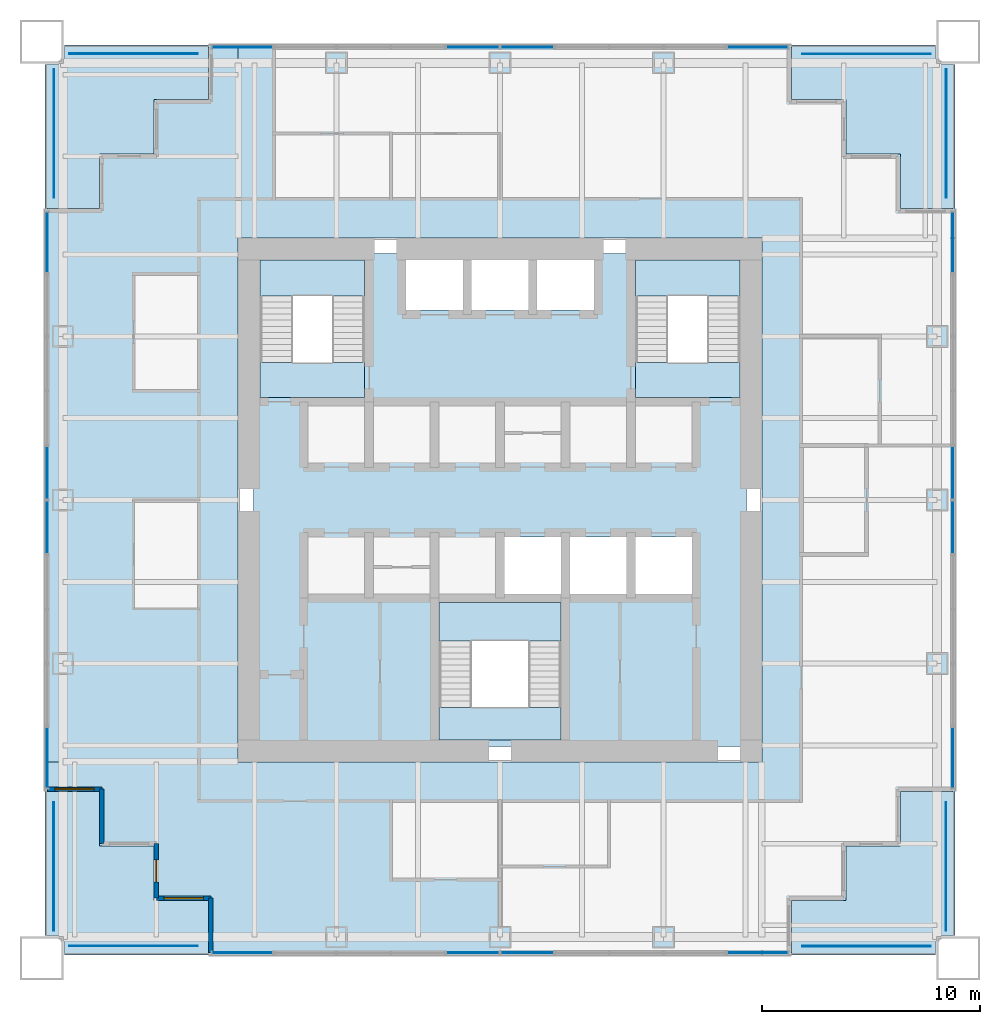
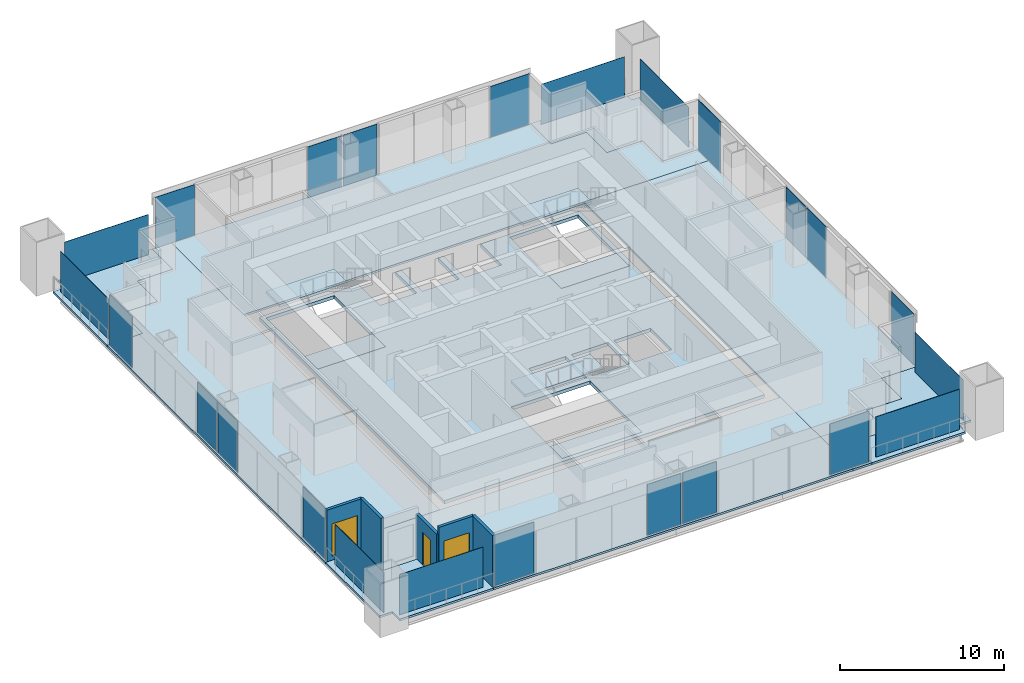
# One storey, part 8 of 14: 24 plates, 15 slabs, 5 walls, 2 windows, 1 door, 3 openings, 19 elements without a shape of their own.
"""IFC4 building model written with IfcOpenShell, lengths in metres."""

from ifc_helpers import new_model, si_unit, direction, frame, frame_2d, origin, origin_2d, place, context, subcontext, project, spatial, polyline, rectangle, outline, extrude, material, layer, layer_set, type_object, element, fill, aggregate, save


model = new_model("IFC4")

# Units and contexts
model_context = context("Model", 3, precision=1e-05, world=origin(), true_north=direction((0.0, 1.0)))
body_context = subcontext(model_context, "Body", "Model", "MODEL_VIEW")
ifc_project = project(units=[si_unit("LENGTHUNIT", "METRE"), si_unit("AREAUNIT", "SQUARE_METRE"), si_unit("VOLUMEUNIT", "CUBIC_METRE"), si_unit("PLANEANGLEUNIT", "RADIAN"), si_unit("MASSUNIT", "GRAM", prefix="KILO")], contexts=[model_context])

# Site, building, storey
site_placement = place(None, origin())
site = spatial("IfcSite", under=ifc_project, at=site_placement, CompositionType="ELEMENT")
building_placement = place(site_placement, origin())
building = spatial("IfcBuilding", under=site, at=building_placement, Name="Tarangal Relay Tower", CompositionType="ELEMENT")
storey_placement = place(building_placement, frame((0.0, 0.0, 271.89990234375)))
storey = spatial("IfcBuildingStorey", under=building, at=storey_placement, Name="L59", CompositionType="ELEMENT", Elevation=271.89990234375)

# Slabs
ifc_material_1 = material(Name="Concrete fc' 35 MPa", Category="concrete")
ifc_layer_1 = layer(ifc_material_1, 0.25)
ifc_layer_set_1 = layer_set([ifc_layer_1], Name="Core floor slab 250")
slab_type_1 = type_object("IfcSlabType", Name="Core floor slab 250", PredefinedType="FLOOR", material=ifc_layer_set_1)
slab_1_placement = place(storey_placement, frame((0.0, 0.0, -0.25)))
element("IfcSlab", 1, at=slab_1_placement, inside=storey, type_object=slab_type_1, Name="Core floor slab L59", PredefinedType="FLOOR", context=body_context, shape_type="SweptSolid", body=[
    extrude(outline(polyline([(11.300048828125, 11.300048828125), (11.300048828125, -11.300048828125), (-11.300048828125, -11.300048828125), (-11.300048828125, 11.300048828125), (-4.300048828125, 11.300048828125), (-4.300048828125, 8.699951171875), (-1.699951171875, 8.699951171875), (-1.699951171875, 11.300048828125), (-1.300048828125, 11.300048828125), (-1.300048828125, 8.699951171875), (1.300048828125, 8.699951171875), (1.300048828125, 11.300048828125), (1.699951171875, 11.300048828125), (1.699951171875, 8.699951171875), (4.300048828125, 8.699951171875), (4.300048828125, 11.300048828125), (11.300048828125, 11.300048828125)]), holes=[polyline([(2.800048828125, -4.699951171875), (-2.800048828125, -4.699951171875), (-2.800048828125, -11.0), (2.800048828125, -11.0), (2.800048828125, -4.699951171875)]), polyline([(2.800048828125, -1.699951171875), (0.199951171875, -1.699951171875), (0.199951171875, -4.300048828125), (2.800048828125, -4.300048828125), (2.800048828125, -1.699951171875)]), polyline([(5.800048828125, -1.699951171875), (3.199951171875, -1.699951171875), (3.199951171875, -4.300048828125), (5.800048828125, -4.300048828125), (5.800048828125, -1.699951171875)]), polyline([(8.800048828125, -1.699951171875), (6.199951171875, -1.699951171875), (6.199951171875, -4.300048828125), (8.800048828125, -4.300048828125), (8.800048828125, -1.699951171875)]), polyline([(-6.199951171875, 11.0), (-11.0, 11.0), (-11.0, 4.699951171875), (-6.199951171875, 4.699951171875), (-6.199951171875, 11.0)]), polyline([(11.0, 11.0), (6.199951171875, 11.0), (6.199951171875, 4.699951171875), (11.0, 4.699951171875), (11.0, 11.0)])]), origin(), (0.0, 0.0, 1.0), 0.25),
])
ifc_layer_2 = layer(ifc_material_1, 0.14990234375)
ifc_layer_set_2 = layer_set([ifc_layer_2], Name="Floor slab 150")
slab_type_2 = type_object("IfcSlabType", Name="Floor slab 150", PredefinedType="FLOOR", material=ifc_layer_set_2)
slab_2_placement = place(storey_placement, frame((0.0, 0.0, -0.14990234375)))
element("IfcSlab", 2, at=slab_2_placement, inside=storey, type_object=slab_type_2, Name="Floor slab FS3 L59 north bay", PredefinedType="FLOOR", context=body_context, shape_type="SweptSolid", body=[
    extrude(outline(polyline([(13.35009765625, 20.85009765625), (13.35009765625, 18.35009765625), (15.85009765625, 18.35009765625), (15.85009765625, 15.85009765625), (18.35009765625, 15.85009765625), (18.35009765625, 13.35009765625), (20.85009765625, 13.35009765625), (20.85009765625, 12.0), (-12.0, 12.0), (-12.0, 20.85009765625), (13.35009765625, 20.85009765625)])), origin(), (0.0, 0.0, 1.0), 0.14990234375),
])
slab_3_placement = place(storey_placement, frame((0.0, 0.0, -0.14990234375)))
element("IfcSlab", 3, at=slab_3_placement, inside=storey, type_object=slab_type_2, Name="Floor slab FS3 L59 east bay", PredefinedType="FLOOR", context=body_context, shape_type="SweptSolid", body=[
    extrude(outline(polyline([(20.85009765625, -13.35009765625), (18.35009765625, -13.35009765625), (18.35009765625, -15.85009765625), (15.85009765625, -15.85009765625), (15.85009765625, -18.35009765625), (13.35009765625, -18.35009765625), (13.35009765625, -20.85009765625), (12.0, -20.85009765625), (12.0, 12.0), (20.85009765625, 12.0), (20.85009765625, -13.35009765625)])), origin(), (0.0, 0.0, 1.0), 0.14990234375),
])
slab_4_placement = place(storey_placement, frame((0.0, 0.0, -0.14990234375)))
element("IfcSlab", 4, at=slab_4_placement, inside=storey, type_object=slab_type_2, Name="Floor slab FS3 L59 south bay", PredefinedType="FLOOR", context=body_context, shape_type="SweptSolid", body=[
    extrude(outline(polyline([(-13.35009765625, -20.85009765625), (-13.35009765625, -18.35009765625), (-15.85009765625, -18.35009765625), (-15.85009765625, -15.85009765625), (-18.35009765625, -15.85009765625), (-18.35009765625, -13.35009765625), (-20.85009765625, -13.35009765625), (-20.85009765625, -12.0), (12.0, -12.0), (12.0, -20.85009765625), (-13.35009765625, -20.85009765625)])), origin(), (0.0, 0.0, 1.0), 0.14990234375),
])
slab_5_placement = place(storey_placement, frame((0.0, 0.0, -0.14990234375)))
element("IfcSlab", 5, at=slab_5_placement, inside=storey, type_object=slab_type_2, Name="Floor slab FS3 L59 west bay", PredefinedType="FLOOR", context=body_context, shape_type="SweptSolid", body=[
    extrude(outline(polyline([(-12.0, 20.85009765625), (-12.0, -12.0), (-20.85009765625, -12.0), (-20.85009765625, 13.35009765625), (-18.35009765625, 13.35009765625), (-18.35009765625, 15.85009765625), (-15.85009765625, 15.85009765625), (-15.85009765625, 18.35009765625), (-13.35009765625, 18.35009765625), (-13.35009765625, 20.85009765625), (-12.0, 20.85009765625)])), origin(), (0.0, 0.0, 1.0), 0.14990234375),
])

# Curtain wall, plate
ifc_material_2 = material(Name="Unitised curtain wall, dark glass and black aluminium", Category="aluminium")
curtain_wall_type = type_object("IfcCurtainWallType", Name="Curtain wall CW-B", PredefinedType="USERDEFINED", material=ifc_material_2)
curtain_wall_1_placement = place(storey_placement, origin())
curtain_wall_1 = element("IfcCurtainWall", 6, at=curtain_wall_1_placement, inside=storey, type_object=curtain_wall_type, Name="Curtain wall CW-B N facade L59", ObjectType="UNITISED CURTAIN WALL", PredefinedType="USERDEFINED")
ifc_material_3 = material(Name="Dark tinted insulated glass unit", Category="glass")
ifc_layer_3 = layer(ifc_material_3, 0.030029296875)
ifc_layer_set_3 = layer_set([ifc_layer_3], Name="Glazed panel CW-B 30")
plate_type_1 = type_object("IfcPlateType", Name="Glazed panel CW-B 30", PredefinedType="CURTAIN_PANEL", material=ifc_layer_set_3)
plate_1_placement = place(storey_placement, frame((-11.8125, 20.75, 0.06005859375), z_axis=(0.0, 0.0, 1.0), x_axis=(1.0, 0.0, 0.0)))
plate_1 = element("IfcPlate", 7, at=plate_1_placement, type_object=plate_type_1, Name="CW-B panel 1.1", PredefinedType="CURTAIN_PANEL", context=body_context, shape_type="SweptSolid", body=[
    extrude(rectangle(XDim=2.7548828125, YDim=0.030029296875, at=origin_2d()), origin(), (0.0, 0.0, 1.0), 3.7900390625),
])
aggregate(curtain_wall_1, [plate_1])

curtain_wall_2_placement = place(storey_placement, origin())
curtain_wall_2 = element("IfcCurtainWall", 8, at=curtain_wall_2_placement, inside=storey, type_object=curtain_wall_type, Name="Curtain wall CW-B N facade L59", ObjectType="UNITISED CURTAIN WALL", PredefinedType="USERDEFINED")
plate_2_placement = place(storey_placement, frame((-1.25, 20.75, 0.06005859375), z_axis=(0.0, 0.0, 1.0), x_axis=(1.0, 0.0, 0.0)))
plate_2 = element("IfcPlate", 9, at=plate_2_placement, type_object=plate_type_1, Name="CW-B panel 1.1", PredefinedType="CURTAIN_PANEL", context=body_context, shape_type="SweptSolid", body=[
    extrude(rectangle(XDim=2.3798828125, YDim=0.030029296875, at=origin_2d()), origin(), (0.0, 0.0, 1.0), 3.7900390625),
])
aggregate(curtain_wall_2, [plate_2])

curtain_wall_3_placement = place(storey_placement, origin())
curtain_wall_3 = element("IfcCurtainWall", 10, at=curtain_wall_3_placement, inside=storey, type_object=curtain_wall_type, Name="Curtain wall CW-B N facade L59", ObjectType="UNITISED CURTAIN WALL", PredefinedType="USERDEFINED")
plate_3_placement = place(storey_placement, frame((1.25, 20.75, 0.06005859375), z_axis=(0.0, 0.0, 1.0), x_axis=(1.0, 0.0, 0.0)))
plate_3 = element("IfcPlate", 11, at=plate_3_placement, type_object=plate_type_1, Name="CW-B panel 1.1", PredefinedType="CURTAIN_PANEL", context=body_context, shape_type="SweptSolid", body=[
    extrude(rectangle(XDim=2.3798828125, YDim=0.030029296875, at=origin_2d()), origin(), (0.0, 0.0, 1.0), 3.7900390625),
])
aggregate(curtain_wall_3, [plate_3])

curtain_wall_4_placement = place(storey_placement, origin())
curtain_wall_4 = element("IfcCurtainWall", 12, at=curtain_wall_4_placement, inside=storey, type_object=curtain_wall_type, Name="Curtain wall CW-B N facade L59", ObjectType="UNITISED CURTAIN WALL", PredefinedType="USERDEFINED")
plate_4_placement = place(storey_placement, frame((11.8125, 20.75, 0.06005859375), z_axis=(0.0, 0.0, 1.0), x_axis=(1.0, 0.0, 0.0)))
plate_4 = element("IfcPlate", 13, at=plate_4_placement, type_object=plate_type_1, Name="CW-B panel 1.1", PredefinedType="CURTAIN_PANEL", context=body_context, shape_type="SweptSolid", body=[
    extrude(rectangle(XDim=2.7548828125, YDim=0.030029296875, at=origin_2d()), origin(), (0.0, 0.0, 1.0), 3.7900390625),
])
aggregate(curtain_wall_4, [plate_4])

curtain_wall_5_placement = place(storey_placement, origin())
curtain_wall_5 = element("IfcCurtainWall", 14, at=curtain_wall_5_placement, inside=storey, type_object=curtain_wall_type, Name="Curtain wall CW-B E facade L59", ObjectType="UNITISED CURTAIN WALL", PredefinedType="USERDEFINED")
plate_5_placement = place(storey_placement, frame((20.75, 11.8125, 0.06005859375), z_axis=(0.0, 0.0, 1.0), x_axis=(0.0, -1.0, 0.0)))
plate_5 = element("IfcPlate", 15, at=plate_5_placement, type_object=plate_type_1, Name="CW-B panel 1.1", PredefinedType="CURTAIN_PANEL", context=body_context, shape_type="SweptSolid", body=[
    extrude(rectangle(XDim=2.7548828125, YDim=0.030029296875, at=origin_2d()), origin(), (0.0, 0.0, 1.0), 3.7900390625),
])
aggregate(curtain_wall_5, [plate_5])

curtain_wall_6_placement = place(storey_placement, origin())
curtain_wall_6 = element("IfcCurtainWall", 16, at=curtain_wall_6_placement, inside=storey, type_object=curtain_wall_type, Name="Curtain wall CW-B E facade L59", ObjectType="UNITISED CURTAIN WALL", PredefinedType="USERDEFINED")
plate_6_placement = place(storey_placement, frame((20.75, 1.25, 0.06005859375), z_axis=(0.0, 0.0, 1.0), x_axis=(0.0, -1.0, 0.0)))
plate_6 = element("IfcPlate", 17, at=plate_6_placement, type_object=plate_type_1, Name="CW-B panel 1.1", PredefinedType="CURTAIN_PANEL", context=body_context, shape_type="SweptSolid", body=[
    extrude(rectangle(XDim=2.3798828125, YDim=0.030029296875, at=origin_2d()), origin(), (0.0, 0.0, 1.0), 3.7900390625),
])
aggregate(curtain_wall_6, [plate_6])

curtain_wall_7_placement = place(storey_placement, origin())
curtain_wall_7 = element("IfcCurtainWall", 18, at=curtain_wall_7_placement, inside=storey, type_object=curtain_wall_type, Name="Curtain wall CW-B E facade L59", ObjectType="UNITISED CURTAIN WALL", PredefinedType="USERDEFINED")
plate_7_placement = place(storey_placement, frame((20.75, -1.25, 0.06005859375), z_axis=(0.0, 0.0, 1.0), x_axis=(0.0, -1.0, 0.0)))
plate_7 = element("IfcPlate", 19, at=plate_7_placement, type_object=plate_type_1, Name="CW-B panel 1.1", PredefinedType="CURTAIN_PANEL", context=body_context, shape_type="SweptSolid", body=[
    extrude(rectangle(XDim=2.3798828125, YDim=0.030029296875, at=origin_2d()), origin(), (0.0, 0.0, 1.0), 3.7900390625),
])
aggregate(curtain_wall_7, [plate_7])

curtain_wall_8_placement = place(storey_placement, origin())
curtain_wall_8 = element("IfcCurtainWall", 20, at=curtain_wall_8_placement, inside=storey, type_object=curtain_wall_type, Name="Curtain wall CW-B E facade L59", ObjectType="UNITISED CURTAIN WALL", PredefinedType="USERDEFINED")
plate_8_placement = place(storey_placement, frame((20.75, -11.8125, 0.06005859375), z_axis=(0.0, 0.0, 1.0), x_axis=(0.0, -1.0, 0.0)))
plate_8 = element("IfcPlate", 21, at=plate_8_placement, type_object=plate_type_1, Name="CW-B panel 1.1", PredefinedType="CURTAIN_PANEL", context=body_context, shape_type="SweptSolid", body=[
    extrude(rectangle(XDim=2.7548828125, YDim=0.030029296875, at=origin_2d()), origin(), (0.0, 0.0, 1.0), 3.7900390625),
])
aggregate(curtain_wall_8, [plate_8])

curtain_wall_9_placement = place(storey_placement, origin())
curtain_wall_9 = element("IfcCurtainWall", 22, at=curtain_wall_9_placement, inside=storey, type_object=curtain_wall_type, Name="Curtain wall CW-B S facade L59", ObjectType="UNITISED CURTAIN WALL", PredefinedType="USERDEFINED")
plate_9_placement = place(storey_placement, frame((11.8125, -20.75, 0.06005859375), z_axis=(0.0, 0.0, 1.0), x_axis=(-1.0, 0.0, 0.0)))
plate_9 = element("IfcPlate", 23, at=plate_9_placement, type_object=plate_type_1, Name="CW-B panel 1.1", PredefinedType="CURTAIN_PANEL", context=body_context, shape_type="SweptSolid", body=[
    extrude(rectangle(XDim=2.7548828125, YDim=0.030029296875, at=origin_2d()), origin(), (0.0, 0.0, 1.0), 3.7900390625),
])
aggregate(curtain_wall_9, [plate_9])

curtain_wall_10_placement = place(storey_placement, origin())
curtain_wall_10 = element("IfcCurtainWall", 24, at=curtain_wall_10_placement, inside=storey, type_object=curtain_wall_type, Name="Curtain wall CW-B S facade L59", ObjectType="UNITISED CURTAIN WALL", PredefinedType="USERDEFINED")
plate_10_placement = place(storey_placement, frame((1.25, -20.75, 0.06005859375), z_axis=(0.0, 0.0, 1.0), x_axis=(-1.0, 0.0, 0.0)))
plate_10 = element("IfcPlate", 25, at=plate_10_placement, type_object=plate_type_1, Name="CW-B panel 1.1", PredefinedType="CURTAIN_PANEL", context=body_context, shape_type="SweptSolid", body=[
    extrude(rectangle(XDim=2.3798828125, YDim=0.030029296875, at=origin_2d()), origin(), (0.0, 0.0, 1.0), 3.7900390625),
])
aggregate(curtain_wall_10, [plate_10])

curtain_wall_11_placement = place(storey_placement, origin())
curtain_wall_11 = element("IfcCurtainWall", 26, at=curtain_wall_11_placement, inside=storey, type_object=curtain_wall_type, Name="Curtain wall CW-B S facade L59", ObjectType="UNITISED CURTAIN WALL", PredefinedType="USERDEFINED")
plate_11_placement = place(storey_placement, frame((-1.25, -20.75, 0.06005859375), z_axis=(0.0, 0.0, 1.0), x_axis=(-1.0, 0.0, 0.0)))
plate_11 = element("IfcPlate", 27, at=plate_11_placement, type_object=plate_type_1, Name="CW-B panel 1.1", PredefinedType="CURTAIN_PANEL", context=body_context, shape_type="SweptSolid", body=[
    extrude(rectangle(XDim=2.3798828125, YDim=0.030029296875, at=origin_2d()), origin(), (0.0, 0.0, 1.0), 3.7900390625),
])
aggregate(curtain_wall_11, [plate_11])

curtain_wall_12_placement = place(storey_placement, origin())
curtain_wall_12 = element("IfcCurtainWall", 28, at=curtain_wall_12_placement, inside=storey, type_object=curtain_wall_type, Name="Curtain wall CW-B S facade L59", ObjectType="UNITISED CURTAIN WALL", PredefinedType="USERDEFINED")
plate_12_placement = place(storey_placement, frame((-11.8125, -20.75, 0.06005859375), z_axis=(0.0, 0.0, 1.0), x_axis=(-1.0, 0.0, 0.0)))
plate_12 = element("IfcPlate", 29, at=plate_12_placement, type_object=plate_type_1, Name="CW-B panel 1.1", PredefinedType="CURTAIN_PANEL", context=body_context, shape_type="SweptSolid", body=[
    extrude(rectangle(XDim=2.7548828125, YDim=0.030029296875, at=origin_2d()), origin(), (0.0, 0.0, 1.0), 3.7900390625),
])
aggregate(curtain_wall_12, [plate_12])

curtain_wall_13_placement = place(storey_placement, origin())
curtain_wall_13 = element("IfcCurtainWall", 30, at=curtain_wall_13_placement, inside=storey, type_object=curtain_wall_type, Name="Curtain wall CW-B W facade L59", ObjectType="UNITISED CURTAIN WALL", PredefinedType="USERDEFINED")
plate_13_placement = place(storey_placement, frame((-20.75, -11.8125, 0.06005859375), z_axis=(0.0, 0.0, 1.0), x_axis=(0.0, 1.0, 0.0)))
plate_13 = element("IfcPlate", 31, at=plate_13_placement, type_object=plate_type_1, Name="CW-B panel 1.1", PredefinedType="CURTAIN_PANEL", context=body_context, shape_type="SweptSolid", body=[
    extrude(rectangle(XDim=2.7548828125, YDim=0.030029296875, at=origin_2d()), origin(), (0.0, 0.0, 1.0), 3.7900390625),
])
aggregate(curtain_wall_13, [plate_13])

curtain_wall_14_placement = place(storey_placement, origin())
curtain_wall_14 = element("IfcCurtainWall", 32, at=curtain_wall_14_placement, inside=storey, type_object=curtain_wall_type, Name="Curtain wall CW-B W facade L59", ObjectType="UNITISED CURTAIN WALL", PredefinedType="USERDEFINED")
plate_14_placement = place(storey_placement, frame((-20.75, -1.25, 0.06005859375), z_axis=(0.0, 0.0, 1.0), x_axis=(0.0, 1.0, 0.0)))
plate_14 = element("IfcPlate", 33, at=plate_14_placement, type_object=plate_type_1, Name="CW-B panel 1.1", PredefinedType="CURTAIN_PANEL", context=body_context, shape_type="SweptSolid", body=[
    extrude(rectangle(XDim=2.3798828125, YDim=0.030029296875, at=origin_2d()), origin(), (0.0, 0.0, 1.0), 3.7900390625),
])
aggregate(curtain_wall_14, [plate_14])

curtain_wall_15_placement = place(storey_placement, origin())
curtain_wall_15 = element("IfcCurtainWall", 34, at=curtain_wall_15_placement, inside=storey, type_object=curtain_wall_type, Name="Curtain wall CW-B W facade L59", ObjectType="UNITISED CURTAIN WALL", PredefinedType="USERDEFINED")
plate_15_placement = place(storey_placement, frame((-20.75, 1.25, 0.06005859375), z_axis=(0.0, 0.0, 1.0), x_axis=(0.0, 1.0, 0.0)))
plate_15 = element("IfcPlate", 35, at=plate_15_placement, type_object=plate_type_1, Name="CW-B panel 1.1", PredefinedType="CURTAIN_PANEL", context=body_context, shape_type="SweptSolid", body=[
    extrude(rectangle(XDim=2.3798828125, YDim=0.030029296875, at=origin_2d()), origin(), (0.0, 0.0, 1.0), 3.7900390625),
])
aggregate(curtain_wall_15, [plate_15])

curtain_wall_16_placement = place(storey_placement, origin())
curtain_wall_16 = element("IfcCurtainWall", 36, at=curtain_wall_16_placement, inside=storey, type_object=curtain_wall_type, Name="Curtain wall CW-B W facade L59", ObjectType="UNITISED CURTAIN WALL", PredefinedType="USERDEFINED")
plate_16_placement = place(storey_placement, frame((-20.75, 11.8125, 0.06005859375), z_axis=(0.0, 0.0, 1.0), x_axis=(0.0, 1.0, 0.0)))
plate_16 = element("IfcPlate", 37, at=plate_16_placement, type_object=plate_type_1, Name="CW-B panel 1.1", PredefinedType="CURTAIN_PANEL", context=body_context, shape_type="SweptSolid", body=[
    extrude(rectangle(XDim=2.7548828125, YDim=0.030029296875, at=origin_2d()), origin(), (0.0, 0.0, 1.0), 3.7900390625),
])
aggregate(curtain_wall_16, [plate_16])

# Plates
ifc_material_4 = material(Name="Black stainless steel cable trellis with climbing planting", Category="steel")
ifc_layer_4 = layer(ifc_material_4, 0.030029296875)
ifc_layer_set_4 = layer_set([ifc_layer_4], Name="Planted trellis screen")
plate_type_2 = type_object("IfcPlateType", Name="Planted trellis screen", PredefinedType="SHEET", material=ifc_layer_set_4)
for number, where, z_axis, x_axis, name in (
    (38, (20.449951171875, 16.800048828125, 0.0), (0.0, 0.0, 1.0), (0.0, -1.0, 0.0), "Planted trellis SC2 NE L59"),
    (39, (16.800048828125, -20.449951171875, 0.0), (0.0, 0.0, 1.0), (-1.0, 0.0, 0.0), "Planted trellis SC2 SE L59"),
    (40, (-20.449951171875, -16.800048828125, 0.0), (0.0, 0.0, 1.0), (0.0, 1.0, 0.0), "Planted trellis SC2 SW L59"),
    (41, (-16.800048828125, 20.449951171875, 0.0), (0.0, 0.0, 1.0), (1.0, 0.0, 0.0), "Planted trellis SC2 NW L59"),
):
    element("IfcPlate", number, at=place(storey_placement, frame(where, z_axis=z_axis, x_axis=x_axis)), inside=storey, type_object=plate_type_2, Name=name, PredefinedType="SHEET", context=body_context, shape_type="SweptSolid", body=[
        extrude(rectangle(XDim=5.89990234375, YDim=0.030029296875, at=origin_2d()), origin(), (0.0, 0.0, 1.0), 3.0),
    ])

# Stair, slabs
ifc_material_5 = material(Name="Steel ASTM A992 stair flight", Category="steel")
stair_type = type_object("IfcStairType", Name="Core stair 1500", PredefinedType="HALF_TURN_STAIR", material=ifc_material_5)
stair_1_placement = place(storey_placement, origin())
stair_1 = element("IfcStair", 42, at=stair_1_placement, inside=storey, type_object=stair_type, Name="Stair ST-A L59", PredefinedType="HALF_TURN_STAIR")
ifc_layer_5 = layer(ifc_material_1, 0.199951171875)
ifc_layer_set_5 = layer_set([ifc_layer_5], Name="Stair landing 200")
slab_type_3 = type_object("IfcSlabType", Name="Stair landing 200", PredefinedType="LANDING", material=ifc_layer_set_5)
slab_6_placement = place(storey_placement, frame((0.0, 0.0, -0.199951171875)))
slab_6 = element("IfcSlab", 43, at=slab_6_placement, type_object=slab_type_3, Name="ST-A landing 1", PredefinedType="LANDING", context=body_context, shape_type="SweptSolid", body=[
    extrude(outline(polyline([(-11.0, 4.699951171875), (-6.199951171875, 4.699951171875), (-6.199951171875, 6.300048828125), (-11.0, 6.300048828125), (-11.0, 4.699951171875)])), origin(), (0.0, 0.0, 1.0), 0.199951171875),
])
slab_7_placement = place(storey_placement, frame((0.0, 0.0, 1.800048828125)))
slab_7 = element("IfcSlab", 44, at=slab_7_placement, type_object=slab_type_3, Name="ST-A landing 2", PredefinedType="LANDING", context=body_context, shape_type="SweptSolid", body=[
    extrude(outline(polyline([(-11.0, 9.346923828125), (-6.199951171875, 9.346923828125), (-6.199951171875, 11.0), (-11.0, 11.0), (-11.0, 9.346923828125)])), origin(), (0.0, 0.0, 1.0), 0.199951171875),
])
aggregate(stair_1, [slab_6, slab_7])

stair_2_placement = place(storey_placement, origin())
stair_2 = element("IfcStair", 45, at=stair_2_placement, inside=storey, type_object=stair_type, Name="Stair ST-B L59", PredefinedType="HALF_TURN_STAIR")
slab_8_placement = place(storey_placement, frame((0.0, 0.0, -0.199951171875)))
slab_8 = element("IfcSlab", 46, at=slab_8_placement, type_object=slab_type_3, Name="ST-B landing 1", PredefinedType="LANDING", context=body_context, shape_type="SweptSolid", body=[
    extrude(outline(polyline([(6.199951171875, 4.699951171875), (11.0, 4.699951171875), (11.0, 6.300048828125), (6.199951171875, 6.300048828125), (6.199951171875, 4.699951171875)])), origin(), (0.0, 0.0, 1.0), 0.199951171875),
])
slab_9_placement = place(storey_placement, frame((0.0, 0.0, 1.800048828125)))
slab_9 = element("IfcSlab", 47, at=slab_9_placement, type_object=slab_type_3, Name="ST-B landing 2", PredefinedType="LANDING", context=body_context, shape_type="SweptSolid", body=[
    extrude(outline(polyline([(6.199951171875, 9.346923828125), (11.0, 9.346923828125), (11.0, 11.0), (6.199951171875, 11.0), (6.199951171875, 9.346923828125)])), origin(), (0.0, 0.0, 1.0), 0.199951171875),
])
aggregate(stair_2, [slab_8, slab_9])

stair_3_placement = place(storey_placement, origin())
stair_3 = element("IfcStair", 48, at=stair_3_placement, inside=storey, type_object=stair_type, Name="Stair ST-C L59", PredefinedType="HALF_TURN_STAIR")
slab_10_placement = place(storey_placement, frame((0.0, 0.0, -0.199951171875)))
slab_10 = element("IfcSlab", 49, at=slab_10_placement, type_object=slab_type_3, Name="ST-C landing 1", PredefinedType="LANDING", context=body_context, shape_type="SweptSolid", body=[
    extrude(outline(polyline([(-2.800048828125, -11.0), (2.800048828125, -11.0), (2.800048828125, -9.5), (-2.800048828125, -9.5), (-2.800048828125, -11.0)])), origin(), (0.0, 0.0, 1.0), 0.199951171875),
])
slab_11_placement = place(storey_placement, frame((0.0, 0.0, 1.800048828125)))
slab_11 = element("IfcSlab", 50, at=slab_11_placement, type_object=slab_type_3, Name="ST-C landing 2", PredefinedType="LANDING", context=body_context, shape_type="SweptSolid", body=[
    extrude(outline(polyline([(-2.800048828125, -6.452880859375), (2.800048828125, -6.452880859375), (2.800048828125, -4.699951171875), (-2.800048828125, -4.699951171875), (-2.800048828125, -6.452880859375)])), origin(), (0.0, 0.0, 1.0), 0.199951171875),
])
aggregate(stair_3, [slab_10, slab_11])

# Plates
ifc_material_6 = material(Name="Perforated black aluminium screen", Category="aluminium")
ifc_layer_6 = layer(ifc_material_6, 0.02001953125)
ifc_layer_set_6 = layer_set([ifc_layer_6], Name="Terrace screen panel")
plate_type_3 = type_object("IfcPlateType", Name="Terrace screen panel", PredefinedType="SHEET", material=ifc_layer_set_6)
for number, where, z_axis, x_axis, name in (
    (51, (16.800048828125, 20.449951171875, 0.0), (0.0, 0.0, 1.0), (1.0, 0.0, 0.0), "Terrace screen SC1 NE L59"),
    (52, (20.449951171875, -16.800048828125, 0.0), (0.0, 0.0, 1.0), (0.0, -1.0, 0.0), "Terrace screen SC1 SE L59"),
    (53, (-16.800048828125, -20.449951171875, 0.0), (0.0, 0.0, 1.0), (-1.0, 0.0, 0.0), "Terrace screen SC1 SW L59"),
    (54, (-20.449951171875, 16.800048828125, 0.0), (0.0, 0.0, 1.0), (0.0, 1.0, 0.0), "Terrace screen SC1 NW L59"),
):
    element("IfcPlate", number, at=place(storey_placement, frame(where, z_axis=z_axis, x_axis=x_axis)), inside=storey, type_object=plate_type_3, Name=name, PredefinedType="SHEET", context=body_context, shape_type="SweptSolid", body=[
        extrude(rectangle(XDim=5.89990234375, YDim=0.02001953125, at=origin_2d()), origin(), (0.0, 0.0, 1.0), 3.0),
    ])

# Slabs
ifc_layer_7 = layer(ifc_material_1, 0.14990234375)
ifc_layer_set_7 = layer_set([ifc_layer_7], Name="Terrace slab 150")
slab_type_4 = type_object("IfcSlabType", Name="Terrace slab 150", PredefinedType="FLOOR", material=ifc_layer_set_7)
slab_12_placement = place(storey_placement, frame((0.0, 0.0, -0.14990234375)))
element("IfcSlab", 55, at=slab_12_placement, inside=storey, type_object=slab_type_4, Name="Corner terrace NE L59", PredefinedType="FLOOR", context=body_context, shape_type="SweptSolid", body=[
    extrude(outline(polyline([(13.35009765625, 20.85009765625), (13.35009765625, 18.35009765625), (15.85009765625, 18.35009765625), (15.85009765625, 15.85009765625), (18.35009765625, 15.85009765625), (18.35009765625, 13.35009765625), (20.85009765625, 13.35009765625), (20.85009765625, 19.949951171875), (19.949951171875, 19.949951171875), (19.949951171875, 20.85009765625), (13.35009765625, 20.85009765625)])), origin(), (0.0, 0.0, 1.0), 0.14990234375),
])
slab_13_placement = place(storey_placement, frame((0.0, 0.0, -0.14990234375)))
element("IfcSlab", 56, at=slab_13_placement, inside=storey, type_object=slab_type_4, Name="Corner terrace SE L59", PredefinedType="FLOOR", context=body_context, shape_type="SweptSolid", body=[
    extrude(outline(polyline([(20.85009765625, -13.35009765625), (18.35009765625, -13.35009765625), (18.35009765625, -15.85009765625), (15.85009765625, -15.85009765625), (15.85009765625, -18.35009765625), (13.35009765625, -18.35009765625), (13.35009765625, -20.85009765625), (19.949951171875, -20.85009765625), (19.949951171875, -19.949951171875), (20.85009765625, -19.949951171875), (20.85009765625, -13.35009765625)])), origin(), (0.0, 0.0, 1.0), 0.14990234375),
])
slab_14_placement = place(storey_placement, frame((0.0, 0.0, -0.14990234375)))
element("IfcSlab", 57, at=slab_14_placement, inside=storey, type_object=slab_type_4, Name="Corner terrace SW L59", PredefinedType="FLOOR", context=body_context, shape_type="SweptSolid", body=[
    extrude(outline(polyline([(-13.35009765625, -20.85009765625), (-13.35009765625, -18.35009765625), (-15.85009765625, -18.35009765625), (-15.85009765625, -15.85009765625), (-18.35009765625, -15.85009765625), (-18.35009765625, -13.35009765625), (-20.85009765625, -13.35009765625), (-20.85009765625, -19.949951171875), (-19.949951171875, -19.949951171875), (-19.949951171875, -20.85009765625), (-13.35009765625, -20.85009765625)])), origin(), (0.0, 0.0, 1.0), 0.14990234375),
])
slab_15_placement = place(storey_placement, frame((0.0, 0.0, -0.14990234375)))
element("IfcSlab", 58, at=slab_15_placement, inside=storey, type_object=slab_type_4, Name="Corner terrace NW L59", PredefinedType="FLOOR", context=body_context, shape_type="SweptSolid", body=[
    extrude(outline(polyline([(-20.85009765625, 13.35009765625), (-18.35009765625, 13.35009765625), (-18.35009765625, 15.85009765625), (-15.85009765625, 15.85009765625), (-15.85009765625, 18.35009765625), (-13.35009765625, 18.35009765625), (-13.35009765625, 20.85009765625), (-19.949951171875, 20.85009765625), (-19.949951171875, 19.949951171875), (-20.85009765625, 19.949951171875), (-20.85009765625, 13.35009765625)])), origin(), (0.0, 0.0, 1.0), 0.14990234375),
])

# Wall
ifc_material_7 = material(Name="Black metal clad insulated wall", Category="steel")
ifc_layer_8 = layer(ifc_material_7, 0.199951171875)
ifc_layer_set_8 = layer_set([ifc_layer_8], Name="Corner wall metal clad 200")
wall_type = type_object("IfcWallType", Name="Corner wall metal clad 200", PredefinedType="SOLIDWALL", material=ifc_layer_set_8)
wall_1_placement = place(storey_placement, frame((-13.25, -20.75, 0.0), z_axis=(0.0, 0.0, 1.0), x_axis=(0.0, 1.0, 0.0)))
element("IfcWall", 59, at=wall_1_placement, inside=storey, type_object=wall_type, Name="Facade wall S facade L59", PredefinedType="SOLIDWALL", context=body_context, shape_type="SweptSolid", body=[
    extrude(rectangle(XDim=2.5, YDim=0.199951171875, at=frame_2d((1.25, 0.0))), origin(), (0.0, 0.0, 1.0), 3.85009765625),
])

# Wall, opening, window
wall_2_placement = place(storey_placement, frame((-13.25, -18.25, 0.0), z_axis=(0.0, 0.0, 1.0), x_axis=(-1.0, 0.0, 0.0)))
wall_2 = element("IfcWall", 60, at=wall_2_placement, inside=storey, type_object=wall_type, Name="Facade wall S facade L59", PredefinedType="SOLIDWALL", context=body_context, shape_type="SweptSolid", body=[
    extrude(rectangle(XDim=2.5, YDim=0.199951171875, at=frame_2d((1.25, 0.0))), origin(), (0.0, 0.0, 1.0), 3.85009765625),
])
opening_1_placement = place(wall_2_placement, frame((0.35009765625, 0.0, 0.300048828125)))
opening_1 = element("IfcOpeningElement", 61, at=opening_1_placement, cuts=wall_2, Name="Opening WN2", PredefinedType="OPENING", context=body_context, shape_type="SweptSolid", body=[
    extrude(rectangle(XDim=1.800048828125, YDim=2.39990234375, at=frame_2d((0.89990234375, 1.199951171875))), frame((0.0, 0.10986328125, 0.0), z_axis=(0.0, -1.0, 0.0), x_axis=(1.0, 0.0, 0.0)), (0.0, 0.0, 1.0), 0.219970703125),
])
ifc_material_8 = material(Name="Dark tinted double glazing in black aluminium frame", Category="aluminium")
window_type = type_object("IfcWindowType", Name="Corner window 1800 x 2400", PartitioningType="SINGLE_PANEL", PredefinedType="WINDOW", material=ifc_material_8)
window_1_placement = place(opening_1_placement, origin())
window_1 = element("IfcWindow", 62, at=window_1_placement, inside=storey, type_object=window_type, Name="Corner window WN2 S facade L59", OverallHeight=2.39990234375, OverallWidth=1.800048828125, PartitioningType="SINGLE_PANEL", PredefinedType="WINDOW", context=body_context, shape_type="SweptSolid", body=[
    extrude(rectangle(XDim=1.800048828125, YDim=2.39990234375, at=frame_2d((0.89990234375, 1.199951171875))), frame((0.0, 0.030029296875, 0.0), z_axis=(0.0, -1.0, 0.0), x_axis=(1.0, 0.0, 0.0)), (0.0, 0.0, 1.0), 0.06005859375),
])
fill(opening_1, window_1)

# Wall, opening, door
wall_3_placement = place(storey_placement, frame((-15.75, -18.25, 0.0), z_axis=(0.0, 0.0, 1.0), x_axis=(0.0, 1.0, 0.0)))
wall_3 = element("IfcWall", 63, at=wall_3_placement, inside=storey, type_object=wall_type, Name="Facade wall S facade L59", PredefinedType="SOLIDWALL", context=body_context, shape_type="SweptSolid", body=[
    extrude(rectangle(XDim=2.5, YDim=0.199951171875, at=frame_2d((1.25, 0.0))), origin(), (0.0, 0.0, 1.0), 3.316650390625),
])
opening_2_placement = place(wall_3_placement, frame((0.75, 0.0, 0.0)))
opening_2 = element("IfcOpeningElement", 64, at=opening_2_placement, cuts=wall_3, Name="Opening TD1", PredefinedType="OPENING", context=body_context, shape_type="SweptSolid", body=[
    extrude(rectangle(XDim=1.0, YDim=2.39990234375, at=frame_2d((0.5, 1.199951171875))), frame((0.0, 0.10986328125, 0.0), z_axis=(0.0, -1.0, 0.0), x_axis=(1.0, 0.0, 0.0)), (0.0, 0.0, 1.0), 0.219970703125),
])
ifc_material_9 = material(Name="Aluminium glazed door", Category="aluminium")
door_type = type_object("IfcDoorType", Name="Terrace door 1000 x 2400", OperationType="SINGLE_SWING_RIGHT", PredefinedType="DOOR", material=ifc_material_9)
door_placement = place(opening_2_placement, origin())
door = element("IfcDoor", 65, at=door_placement, inside=storey, type_object=door_type, Name="Terrace door TD1 SW L59", OperationType="SINGLE_SWING_RIGHT", OverallHeight=2.39990234375, OverallWidth=1.0, PredefinedType="DOOR", context=body_context, shape_type="SweptSolid", body=[
    extrude(rectangle(XDim=1.0, YDim=2.39990234375, at=frame_2d((0.5, 1.199951171875))), frame((0.0, 0.02490234375, 0.0), z_axis=(0.0, -1.0, 0.0), x_axis=(1.0, 0.0, 0.0)), (0.0, 0.0, 1.0), 0.050048828125),
])
fill(opening_2, door)

# Wall
wall_4_placement = place(storey_placement, frame((-18.25, -15.75, 0.0), z_axis=(0.0, 0.0, 1.0), x_axis=(0.0, 1.0, 0.0)))
element("IfcWall", 66, at=wall_4_placement, inside=storey, type_object=wall_type, Name="Facade wall S facade L59", PredefinedType="SOLIDWALL", context=body_context, shape_type="SweptSolid", body=[
    extrude(rectangle(XDim=2.5, YDim=0.199951171875, at=frame_2d((1.25, 0.0))), origin(), (0.0, 0.0, 1.0), 3.85009765625),
])

# Wall, opening, window
wall_5_placement = place(storey_placement, frame((-18.25, -13.25, 0.0), z_axis=(0.0, 0.0, 1.0), x_axis=(-1.0, 0.0, 0.0)))
wall_5 = element("IfcWall", 67, at=wall_5_placement, inside=storey, type_object=wall_type, Name="Facade wall S facade L59", PredefinedType="SOLIDWALL", context=body_context, shape_type="SweptSolid", body=[
    extrude(rectangle(XDim=2.5, YDim=0.199951171875, at=frame_2d((1.25, 0.0))), origin(), (0.0, 0.0, 1.0), 3.85009765625),
])
opening_3_placement = place(wall_5_placement, frame((0.35009765625, 0.0, 0.300048828125)))
opening_3 = element("IfcOpeningElement", 68, at=opening_3_placement, cuts=wall_5, Name="Opening WN2", PredefinedType="OPENING", context=body_context, shape_type="SweptSolid", body=[
    extrude(rectangle(XDim=1.800048828125, YDim=2.39990234375, at=frame_2d((0.89990234375, 1.199951171875))), frame((0.0, 0.10986328125, 0.0), z_axis=(0.0, -1.0, 0.0), x_axis=(1.0, 0.0, 0.0)), (0.0, 0.0, 1.0), 0.219970703125),
])
window_2_placement = place(opening_3_placement, origin())
window_2 = element("IfcWindow", 69, at=window_2_placement, inside=storey, type_object=window_type, Name="Corner window WN2 S facade L59", OverallHeight=2.39990234375, OverallWidth=1.800048828125, PartitioningType="SINGLE_PANEL", PredefinedType="WINDOW", context=body_context, shape_type="SweptSolid", body=[
    extrude(rectangle(XDim=1.800048828125, YDim=2.39990234375, at=frame_2d((0.89990234375, 1.199951171875))), frame((0.0, 0.030029296875, 0.0), z_axis=(0.0, -1.0, 0.0), x_axis=(1.0, 0.0, 0.0)), (0.0, 0.0, 1.0), 0.06005859375),
])
fill(opening_3, window_2)

save(model, "model.ifc")
